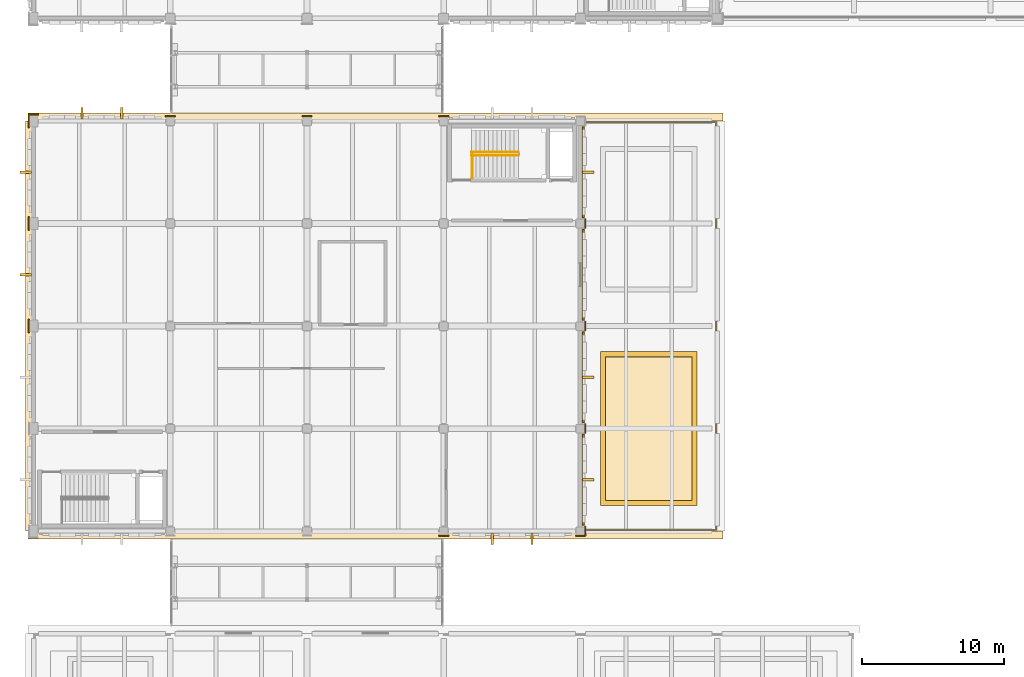
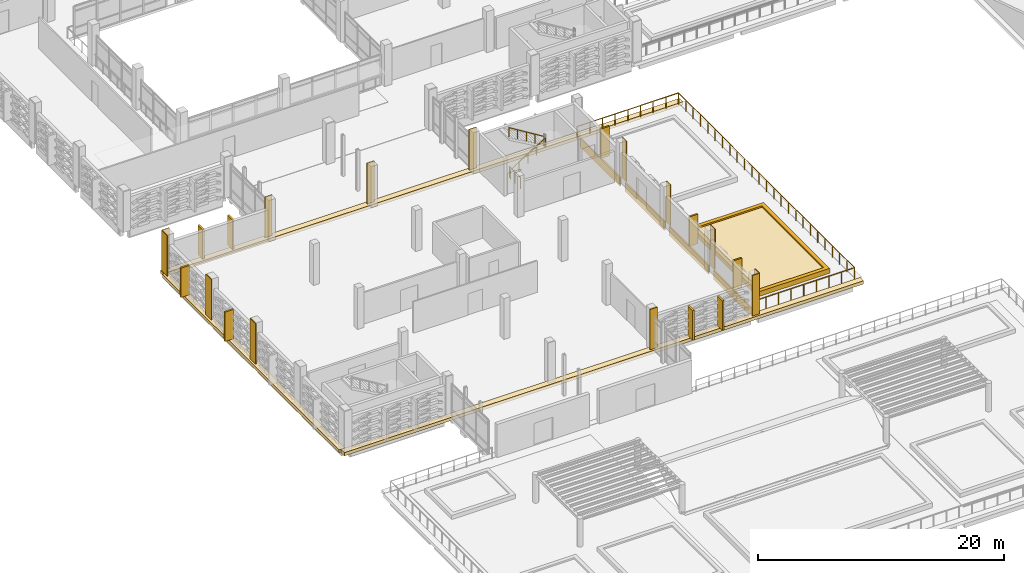
# One storey, part 120 of 134: 31 coverings, 4 railings.
"""IFC4 building model written with IfcOpenShell, lengths in metres."""

from ifc_helpers import new_model, si_unit, direction, frame, origin, origin_2d, place, context, subcontext, project, spatial, polyline, rectangle, circle, outline, extrude, material, layer, layer_set, type_object, element, save


model = new_model("IFC4")

# Units and contexts
model_context = context("Model", 3, precision=1e-05, world=origin(), true_north=direction((0.0, 1.0)))
body_context = subcontext(model_context, "Body", "Model", "MODEL_VIEW")
ifc_project = project(units=[si_unit("LENGTHUNIT", "METRE"), si_unit("AREAUNIT", "SQUARE_METRE"), si_unit("VOLUMEUNIT", "CUBIC_METRE"), si_unit("PLANEANGLEUNIT", "RADIAN"), si_unit("MASSUNIT", "GRAM", prefix="KILO")], contexts=[model_context])

# Site, building, storey
site_placement = place(None, origin())
site = spatial("IfcSite", under=ifc_project, at=site_placement, CompositionType="ELEMENT")
building_placement = place(site_placement, origin())
building = spatial("IfcBuilding", under=site, at=building_placement, Name="Asteropetra Specialist Clinic", CompositionType="ELEMENT")
storey_placement = place(building_placement, frame((0.0, 0.0, 8.5)))
storey = spatial("IfcBuildingStorey", under=building, at=storey_placement, Name="L02", CompositionType="ELEMENT", Elevation=8.5)

# Railing
ifc_material_1 = material(Name="Pentelic marble and bronze balustrade", Category="masonry")
railing_type_1 = type_object("IfcRailingType", Name="BAL-STONE-1150", PredefinedType="BALUSTRADE", material=ifc_material_1)
railing_1_placement = place(storey_placement, frame((38.39990234375, 33.679931640625, 0.0)))
element("IfcRailing", 1, at=railing_1_placement, inside=storey, type_object=railing_type_1, Name="Perimeter Guard BAL-V5-L02E", PredefinedType="BALUSTRADE", context=body_context, shape_type="SweptSolid", body=[
    extrude(circle(Radius=0.02392578125, at=origin_2d()), frame((0.0, 0.0, 1.1259765625), z_axis=(1.0, 0.0, 0.0), x_axis=(0.0, 1.0, 0.0)), (0.0, 0.0, 1.0), 9.52001953125),
    extrude(circle(Radius=0.02392578125, at=origin_2d()), frame((9.52001953125, 0.0, 1.1259765625), z_axis=(0.0, 1.0, 0.0), x_axis=(-1.0, 0.0, 0.0)), (0.0, 0.0, 1.0), 28.64013671875),
    extrude(circle(Radius=0.02392578125, at=origin_2d()), frame((9.52001953125, 28.64013671875, 1.1259765625), z_axis=(-1.0, 0.0, 0.0), x_axis=(0.0, -1.0, 0.0)), (0.0, 0.0, 1.0), 9.52001953125),
    extrude(circle(Radius=0.02099609375, at=origin_2d()), origin(), (0.0, 0.0, 1.0), 1.101806640625),
    extrude(circle(Radius=0.02099609375, at=origin_2d()), frame((1.18994140625, 0.0, 0.0)), (0.0, 0.0, 1.0), 1.101806640625),
    extrude(circle(Radius=0.02099609375, at=origin_2d()), frame((2.3798828125, 0.0, 0.0)), (0.0, 0.0, 1.0), 1.101806640625),
    extrude(circle(Radius=0.02099609375, at=origin_2d()), frame((3.570068359375, 0.0, 0.0)), (0.0, 0.0, 1.0), 1.101806640625),
    extrude(circle(Radius=0.02099609375, at=origin_2d()), frame((4.760009765625, 0.0, 0.0)), (0.0, 0.0, 1.0), 1.101806640625),
    extrude(circle(Radius=0.02099609375, at=origin_2d()), frame((5.949951171875, 0.0, 0.0)), (0.0, 0.0, 1.0), 1.101806640625),
    extrude(circle(Radius=0.02099609375, at=origin_2d()), frame((7.14013671875, 0.0, 0.0)), (0.0, 0.0, 1.0), 1.101806640625),
    extrude(circle(Radius=0.02099609375, at=origin_2d()), frame((8.330078125, 0.0, 0.0)), (0.0, 0.0, 1.0), 1.101806640625),
    extrude(circle(Radius=0.02099609375, at=origin_2d()), frame((9.52001953125, 0.0, 0.0)), (0.0, 0.0, 1.0), 1.101806640625),
    extrude(circle(Radius=0.02099609375, at=origin_2d()), frame((9.52001953125, 1.193359375, 0.0)), (0.0, 0.0, 1.0), 1.101806640625),
    extrude(circle(Radius=0.02099609375, at=origin_2d()), frame((9.52001953125, 2.38671875, 0.0)), (0.0, 0.0, 1.0), 1.101806640625),
    extrude(circle(Radius=0.02099609375, at=origin_2d()), frame((9.52001953125, 3.580078125, 0.0)), (0.0, 0.0, 1.0), 1.101806640625),
    extrude(circle(Radius=0.02099609375, at=origin_2d()), frame((9.52001953125, 4.7734375, 0.0)), (0.0, 0.0, 1.0), 1.101806640625),
    extrude(circle(Radius=0.02099609375, at=origin_2d()), frame((9.52001953125, 5.966796875, 0.0)), (0.0, 0.0, 1.0), 1.101806640625),
    extrude(circle(Radius=0.02099609375, at=origin_2d()), frame((9.52001953125, 7.16015625, 0.0)), (0.0, 0.0, 1.0), 1.101806640625),
    extrude(circle(Radius=0.02099609375, at=origin_2d()), frame((9.52001953125, 8.353271484375, 0.0)), (0.0, 0.0, 1.0), 1.101806640625),
    extrude(circle(Radius=0.02099609375, at=origin_2d()), frame((9.52001953125, 9.546630859375, 0.0)), (0.0, 0.0, 1.0), 1.101806640625),
    extrude(circle(Radius=0.02099609375, at=origin_2d()), frame((9.52001953125, 10.739990234375, 0.0)), (0.0, 0.0, 1.0), 1.101806640625),
    extrude(circle(Radius=0.02099609375, at=origin_2d()), frame((9.52001953125, 11.933349609375, 0.0)), (0.0, 0.0, 1.0), 1.101806640625),
    extrude(circle(Radius=0.02099609375, at=origin_2d()), frame((9.52001953125, 13.126708984375, 0.0)), (0.0, 0.0, 1.0), 1.101806640625),
    extrude(circle(Radius=0.02099609375, at=origin_2d()), frame((9.52001953125, 14.320068359375, 0.0)), (0.0, 0.0, 1.0), 1.101806640625),
    extrude(circle(Radius=0.02099609375, at=origin_2d()), frame((9.52001953125, 15.513427734375, 0.0)), (0.0, 0.0, 1.0), 1.101806640625),
    extrude(circle(Radius=0.02099609375, at=origin_2d()), frame((9.52001953125, 16.706787109375, 0.0)), (0.0, 0.0, 1.0), 1.101806640625),
    extrude(circle(Radius=0.02099609375, at=origin_2d()), frame((9.52001953125, 17.900146484375, 0.0)), (0.0, 0.0, 1.0), 1.101806640625),
    extrude(circle(Radius=0.02099609375, at=origin_2d()), frame((9.52001953125, 19.093505859375, 0.0)), (0.0, 0.0, 1.0), 1.101806640625),
    extrude(circle(Radius=0.02099609375, at=origin_2d()), frame((9.52001953125, 20.286865234375, 0.0)), (0.0, 0.0, 1.0), 1.101806640625),
    extrude(circle(Radius=0.02099609375, at=origin_2d()), frame((9.52001953125, 21.47998046875, 0.0)), (0.0, 0.0, 1.0), 1.101806640625),
    extrude(circle(Radius=0.02099609375, at=origin_2d()), frame((9.52001953125, 22.67333984375, 0.0)), (0.0, 0.0, 1.0), 1.101806640625),
    extrude(circle(Radius=0.02099609375, at=origin_2d()), frame((9.52001953125, 23.86669921875, 0.0)), (0.0, 0.0, 1.0), 1.101806640625),
    extrude(circle(Radius=0.02099609375, at=origin_2d()), frame((9.52001953125, 25.06005859375, 0.0)), (0.0, 0.0, 1.0), 1.101806640625),
    extrude(circle(Radius=0.02099609375, at=origin_2d()), frame((9.52001953125, 26.25341796875, 0.0)), (0.0, 0.0, 1.0), 1.101806640625),
    extrude(circle(Radius=0.02099609375, at=origin_2d()), frame((9.52001953125, 27.44677734375, 0.0)), (0.0, 0.0, 1.0), 1.101806640625),
    extrude(circle(Radius=0.02099609375, at=origin_2d()), frame((9.52001953125, 28.64013671875, 0.0)), (0.0, 0.0, 1.0), 1.101806640625),
    extrude(circle(Radius=0.02099609375, at=origin_2d()), frame((8.330078125, 28.64013671875, 0.0)), (0.0, 0.0, 1.0), 1.101806640625),
    extrude(circle(Radius=0.02099609375, at=origin_2d()), frame((7.14013671875, 28.64013671875, 0.0)), (0.0, 0.0, 1.0), 1.101806640625),
    extrude(circle(Radius=0.02099609375, at=origin_2d()), frame((5.949951171875, 28.64013671875, 0.0)), (0.0, 0.0, 1.0), 1.101806640625),
    extrude(circle(Radius=0.02099609375, at=origin_2d()), frame((4.760009765625, 28.64013671875, 0.0)), (0.0, 0.0, 1.0), 1.101806640625),
    extrude(circle(Radius=0.02099609375, at=origin_2d()), frame((3.570068359375, 28.64013671875, 0.0)), (0.0, 0.0, 1.0), 1.101806640625),
    extrude(circle(Radius=0.02099609375, at=origin_2d()), frame((2.3798828125, 28.64013671875, 0.0)), (0.0, 0.0, 1.0), 1.101806640625),
    extrude(circle(Radius=0.02099609375, at=origin_2d()), frame((1.18994140625, 28.64013671875, 0.0)), (0.0, 0.0, 1.0), 1.101806640625),
    extrude(circle(Radius=0.02099609375, at=origin_2d()), frame((0.0, 28.64013671875, 0.0)), (0.0, 0.0, 1.0), 1.101806640625),
])

# Coverings
ifc_material_2 = material(Name="Chevron ochre deep")
ifc_layer_1 = layer(ifc_material_2, 0.1201171875)
ifc_layer_set_1 = layer_set([ifc_layer_1], Name="Chevron ochre deep")
covering_type_1 = type_object("IfcCoveringType", Name="CLD-OCH-DEEP", PredefinedType="CLADDING", material=ifc_layer_set_1)
for number, where, z_axis, x_axis, name in (
    (2, (38.594970703125, 37.199951171875, -0.800048828125), (0.0, 0.0, 1.0), (1.0, 0.0, 0.0), "Chevron Spandrel Band CV-1852"),
    (3, (38.594970703125, 44.39990234375, -0.800048828125), (0.0, 0.0, 1.0), (1.0, 0.0, 0.0), "Chevron Spandrel Band CV-1853"),
    (4, (38.594970703125, 51.60009765625, -0.800048828125), (0.0, 0.0, 1.0), (1.0, 0.0, 0.0), "Chevron Spandrel Band CV-1854"),
    (5, (38.594970703125, 58.800048828125, -0.800048828125), (0.0, 0.0, 1.0), (1.0, 0.0, 0.0), "Chevron Spandrel Band CV-1855"),
):
    element("IfcCovering", number, at=place(storey_placement, frame(where, z_axis=z_axis, x_axis=x_axis)), inside=storey, type_object=covering_type_1, Name=name, PredefinedType="CLADDING", context=body_context, shape_type="SweptSolid", body=[
        extrude(rectangle(XDim=0.1201171875, YDim=6.39990234375, at=origin_2d()), origin(), (0.0, 0.0, 1.0), 0.8798828125),
    ])
ifc_material_3 = material(Name="Pentelic marble ashlar", Category="masonry")
ifc_layer_2 = layer(ifc_material_3, 0.159912109375)
ifc_layer_set_2 = layer_set([ifc_layer_2], Name="Pentelic marble ashlar")
covering_type_2 = type_object("IfcCoveringType", Name="CRN-ENTAB-600", PredefinedType="MOLDING", material=ifc_layer_set_2)
for number, where, z_axis, x_axis, name in (
    (6, (-0.33203125, 48.0, 0.02001953125), (0.0, 0.0, 1.0), (1.0, 0.0, 0.0), "Neoclassical Pilaster Facing CM-0880"),
    (7, (-0.33203125, 55.199951171875, 0.02001953125), (0.0, 0.0, 1.0), (1.0, 0.0, 0.0), "Neoclassical Pilaster Facing CM-0881"),
):
    element("IfcCovering", number, at=place(storey_placement, frame(where, z_axis=z_axis, x_axis=x_axis)), inside=storey, type_object=covering_type_2, Name=name, PredefinedType="MOLDING", context=body_context, shape_type="SweptSolid", body=[
        extrude(rectangle(XDim=0.080078125, YDim=0.929931640625, at=origin_2d()), origin(), (0.0, 0.0, 1.0), 4.0400390625),
    ])
covering_1_placement = place(storey_placement, frame((0.0, 62.85693359375, 0.02001953125), z_axis=(0.0, 0.0, 1.0), x_axis=(1.0, 0.0, 0.0)))
element("IfcCovering", 8, at=covering_1_placement, inside=storey, type_object=covering_type_2, Name="Neoclassical Pilaster Facing CM-0882", PredefinedType="MOLDING", context=body_context, shape_type="SweptSolid", body=[
    extrude(rectangle(XDim=0.679931640625, YDim=0.080078125, at=origin_2d()), origin(), (0.0, 0.0, 1.0), 4.0400390625),
])
covering_2_placement = place(storey_placement, frame((-0.33203125, 62.39990234375, 0.02001953125), z_axis=(0.0, 0.0, 1.0), x_axis=(1.0, 0.0, 0.0)))
element("IfcCovering", 9, at=covering_2_placement, inside=storey, type_object=covering_type_2, Name="Neoclassical Pilaster Facing CM-0883", PredefinedType="MOLDING", context=body_context, shape_type="SweptSolid", body=[
    extrude(rectangle(XDim=0.080078125, YDim=0.929931640625, at=origin_2d()), origin(), (0.0, 0.0, 1.0), 4.0400390625),
])
for number, where, z_axis, x_axis, name in (
    (10, (9.60009765625, 62.73193359375, 0.02001953125), (0.0, 0.0, 1.0), (1.0, 0.0, 0.0), "Neoclassical Pilaster Facing CM-0885"),
    (11, (19.199951171875, 62.73193359375, 0.02001953125), (0.0, 0.0, 1.0), (1.0, 0.0, 0.0), "Neoclassical Pilaster Facing CM-0887"),
    (12, (28.800048828125, 33.26806640625, 0.02001953125), (0.0, 0.0, 1.0), (1.0, 0.0, 0.0), "Neoclassical Pilaster Facing CM-0888"),
    (13, (28.800048828125, 62.73193359375, 0.02001953125), (0.0, 0.0, 1.0), (1.0, 0.0, 0.0), "Neoclassical Pilaster Facing CM-0889"),
    (14, (38.39990234375, 33.26806640625, 0.02001953125), (0.0, 0.0, 1.0), (1.0, 0.0, 0.0), "Neoclassical Pilaster Facing CM-0890"),
):
    element("IfcCovering", number, at=place(storey_placement, frame(where, z_axis=z_axis, x_axis=x_axis)), inside=storey, type_object=covering_type_2, Name=name, PredefinedType="MOLDING", context=body_context, shape_type="SweptSolid", body=[
        extrude(rectangle(XDim=0.679931640625, YDim=0.080078125, at=origin_2d()), origin(), (0.0, 0.0, 1.0), 4.0400390625),
    ])
for number, where, z_axis, x_axis, name in (
    (15, (38.73193359375, 33.60009765625, 0.02001953125), (0.0, 0.0, 1.0), (1.0, 0.0, 0.0), "Neoclassical Pilaster Facing CM-0891"),
    (16, (38.73193359375, 40.800048828125, 0.02001953125), (0.0, 0.0, 1.0), (1.0, 0.0, 0.0), "Neoclassical Pilaster Facing CM-0892"),
    (17, (38.73193359375, 48.0, 0.02001953125), (0.0, 0.0, 1.0), (1.0, 0.0, 0.0), "Neoclassical Pilaster Facing CM-0893"),
    (18, (38.73193359375, 55.199951171875, 0.02001953125), (0.0, 0.0, 1.0), (1.0, 0.0, 0.0), "Neoclassical Pilaster Facing CM-0894"),
):
    element("IfcCovering", number, at=place(storey_placement, frame(where, z_axis=z_axis, x_axis=x_axis)), inside=storey, type_object=covering_type_2, Name=name, PredefinedType="MOLDING", context=body_context, shape_type="SweptSolid", body=[
        extrude(rectangle(XDim=0.080078125, YDim=0.679931640625, at=origin_2d()), origin(), (0.0, 0.0, 1.0), 4.0400390625),
    ])
for number, where, z_axis, x_axis, name in (
    (19, (24.0, 33.320068359375, -0.2802734375), (0.0, 0.0, 1.0), (1.0, 0.0, 0.0), "Classical Entablature Cornice EC-005"),
    (20, (24.0, 62.679931640625, -0.2802734375), (0.0, 0.0, 1.0), (1.0, 0.0, 0.0), "Classical Entablature Cornice EC-006"),
):
    element("IfcCovering", number, at=place(storey_placement, frame(where, z_axis=z_axis, x_axis=x_axis)), inside=storey, type_object=covering_type_2, Name=name, PredefinedType="MOLDING", context=body_context, shape_type="SweptSolid", body=[
        extrude(rectangle(XDim=48.800048828125, YDim=0.56005859375, at=origin_2d()), origin(), (0.0, 0.0, 1.0), 0.320068359375),
    ])
covering_3_placement = place(storey_placement, frame((-0.280029296875, 48.0, -0.2802734375), z_axis=(0.0, 0.0, 1.0), x_axis=(1.0, 0.0, 0.0)))
element("IfcCovering", 21, at=covering_3_placement, inside=storey, type_object=covering_type_2, Name="Classical Entablature Cornice EC-007", PredefinedType="MOLDING", context=body_context, shape_type="SweptSolid", body=[
    extrude(rectangle(XDim=0.56005859375, YDim=28.800048828125, at=origin_2d()), origin(), (0.0, 0.0, 1.0), 0.320068359375),
])
covering_4_placement = place(storey_placement, origin())
element("IfcCovering", 22, at=covering_4_placement, inside=storey, type_object=covering_type_2, Name="Planted Terrace Planter Curb PTB-V5-01C", PredefinedType="MOLDING", context=body_context, shape_type="SweptSolid", body=[
    extrude(outline(polyline([(39.800048828125, 35.39990234375), (46.60009765625, 35.39990234375), (46.60009765625, 46.199951171875), (39.800048828125, 46.199951171875), (39.800048828125, 35.39990234375)]), holes=[polyline([(40.14990234375, 35.75), (46.25, 35.75), (46.25, 45.85009765625), (40.14990234375, 45.85009765625), (40.14990234375, 35.75)])]), origin(), (0.0, 0.0, 1.0), 0.47998046875),
])
ifc_material_4 = material(Name="Pentelic marble solar fin", Category="masonry")
ifc_layer_3 = layer(ifc_material_4, 0.080078125)
ifc_layer_set_3 = layer_set([ifc_layer_3], Name="Pentelic marble solar fin")
covering_type_3 = type_object("IfcCoveringType", Name="FIN-SOLAR-800", PredefinedType="MOLDING", material=ifc_layer_set_3)
for number, where, z_axis, x_axis, name in (
    (23, (6.193359375, 62.949951171875, 0.070068359375), (0.0, 0.0, 1.0), (1.0, 0.0, 0.0), "Solar Shading Fin FN-0126"),
    (24, (3.40673828125, 62.949951171875, 0.070068359375), (0.0, 0.0, 1.0), (1.0, 0.0, 0.0), "Solar Shading Fin FN-0127"),
    (25, (32.206787109375, 33.050048828125, 0.070068359375), (0.0, 0.0, 1.0), (1.0, 0.0, 0.0), "Solar Shading Fin FN-0128"),
    (26, (34.993408203125, 33.050048828125, 0.070068359375), (0.0, 0.0, 1.0), (1.0, 0.0, 0.0), "Solar Shading Fin FN-0129"),
):
    element("IfcCovering", number, at=place(storey_placement, frame(where, z_axis=z_axis, x_axis=x_axis)), inside=storey, type_object=covering_type_3, Name=name, PredefinedType="MOLDING", context=body_context, shape_type="SweptSolid", body=[
        extrude(rectangle(XDim=0.159912109375, YDim=0.800048828125, at=origin_2d()), origin(), (0.0, 0.0, 1.0), 2.919921875),
    ])
for number, where, z_axis, x_axis, name in (
    (27, (38.949951171875, 37.199951171875, 0.070068359375), (0.0, 0.0, 1.0), (1.0, 0.0, 0.0), "Solar Shading Fin FN-0133"),
    (28, (38.949951171875, 44.39990234375, 0.070068359375), (0.0, 0.0, 1.0), (1.0, 0.0, 0.0), "Solar Shading Fin FN-0135"),
    (29, (-0.550048828125, 51.60009765625, 0.070068359375), (0.0, 0.0, 1.0), (1.0, 0.0, 0.0), "Solar Shading Fin FN-0136"),
    (30, (-0.550048828125, 58.800048828125, 0.070068359375), (0.0, 0.0, 1.0), (1.0, 0.0, 0.0), "Solar Shading Fin FN-0137"),
    (31, (38.949951171875, 58.800048828125, 0.070068359375), (0.0, 0.0, 1.0), (1.0, 0.0, 0.0), "Solar Shading Fin FN-0138"),
):
    element("IfcCovering", number, at=place(storey_placement, frame(where, z_axis=z_axis, x_axis=x_axis)), inside=storey, type_object=covering_type_3, Name=name, PredefinedType="MOLDING", context=body_context, shape_type="SweptSolid", body=[
        extrude(rectangle(XDim=0.800048828125, YDim=0.159912109375, at=origin_2d()), origin(), (0.0, 0.0, 1.0), 2.919921875),
    ])

# Railings
ifc_material_5 = material(Name="Steel S355 and laminated glass guard", Category="steel")
railing_type_2 = type_object("IfcRailingType", Name="GRD-INT-1120", PredefinedType="GUARDRAIL", material=ifc_material_5)
railing_2_placement = place(storey_placement, frame((30.800048828125, 58.3798828125, 0.0)))
element("IfcRailing", 32, at=railing_2_placement, inside=storey, type_object=railing_type_2, Name="Stair Well Guard ST05-L01", PredefinedType="GUARDRAIL", context=body_context, shape_type="SweptSolid", body=[
    extrude(circle(Radius=0.02392578125, at=origin_2d()), frame((0.0, 0.0, 1.09619140625), z_axis=(0.0, 1.0, 0.0), x_axis=(-1.0, 0.0, 0.0)), (0.0, 0.0, 1.0), 1.780029296875),
    extrude(circle(Radius=0.02099609375, at=origin_2d()), origin(), (0.0, 0.0, 1.0), 1.072021484375),
    extrude(circle(Radius=0.02099609375, at=origin_2d()), frame((0.0, 0.89013671875, 0.0)), (0.0, 0.0, 1.0), 1.072021484375),
    extrude(circle(Radius=0.02099609375, at=origin_2d()), frame((0.0, 1.780029296875, 0.0)), (0.0, 0.0, 1.0), 1.072021484375),
])
ifc_material_6 = material(Name="Brushed stainless steel handrail", Category="steel")
railing_type_3 = type_object("IfcRailingType", Name="HRL-STAIR-920", PredefinedType="HANDRAIL", material=ifc_material_6)
railing_3_placement = place(storey_placement, frame((30.75, 59.969970703125, 0.0)))
element("IfcRailing", 33, at=railing_3_placement, inside=storey, type_object=railing_type_3, Name="Stair Handrail ST05-L02 F1", PredefinedType="HANDRAIL", context=body_context, shape_type="SweptSolid", body=[
    extrude(circle(Radius=0.02392578125, at=origin_2d()), frame((0.0, 0.0, 0.89599609375), z_axis=(0.850593546085, 0.0, 0.525823753132), x_axis=(0.0, 1.0, 0.0)), (0.0, 0.0, 1.0), 3.879638671875),
    extrude(circle(Radius=0.02099609375, at=origin_2d()), origin(), (0.0, 0.0, 1.0), 0.871826171875),
    extrude(circle(Radius=0.02099609375, at=origin_2d()), frame((0.824951171875, 0.0, 0.510009765625)), (0.0, 0.0, 1.0), 0.871826171875),
    extrude(circle(Radius=0.02099609375, at=origin_2d()), frame((1.64990234375, 0.0, 1.02001953125)), (0.0, 0.0, 1.0), 0.871826171875),
    extrude(circle(Radius=0.02099609375, at=origin_2d()), frame((2.47509765625, 0.0, 1.530029296875)), (0.0, 0.0, 1.0), 0.871826171875),
    extrude(circle(Radius=0.02099609375, at=origin_2d()), frame((3.300048828125, 0.0, 2.0400390625)), (0.0, 0.0, 1.0), 0.871826171875),
])
railing_4_placement = place(storey_placement, frame((34.050048828125, 60.2099609375, 2.0400390625)))
element("IfcRailing", 34, at=railing_4_placement, inside=storey, type_object=railing_type_3, Name="Stair Handrail ST05-L02 F2", PredefinedType="HANDRAIL", context=body_context, shape_type="SweptSolid", body=[
    extrude(circle(Radius=0.02392578125, at=origin_2d()), frame((0.0, 0.0, 0.89599609375), z_axis=(-0.850593546085, 0.0, 0.525823753132), x_axis=(0.0, -1.0, 0.0)), (0.0, 0.0, 1.0), 3.879638671875),
    extrude(circle(Radius=0.02099609375, at=origin_2d()), origin(), (0.0, 0.0, 1.0), 0.871826171875),
    extrude(circle(Radius=0.02099609375, at=origin_2d()), frame((-0.824951171875, 0.0, 0.510009765625)), (0.0, 0.0, 1.0), 0.871826171875),
    extrude(circle(Radius=0.02099609375, at=origin_2d()), frame((-1.64990234375, 0.0, 1.02001953125)), (0.0, 0.0, 1.0), 0.871826171875),
    extrude(circle(Radius=0.02099609375, at=origin_2d()), frame((-2.47509765625, 0.0, 1.530029296875)), (0.0, 0.0, 1.0), 0.871826171875),
    extrude(circle(Radius=0.02099609375, at=origin_2d()), frame((-3.300048828125, 0.0, 2.0400390625)), (0.0, 0.0, 1.0), 0.871826171875),
])

# Covering
ifc_material_7 = material(Name="Planted roof growing medium")
ifc_layer_4 = layer(ifc_material_7, 0.080078125)
ifc_layer_set_4 = layer_set([ifc_layer_4], Name="Planted roof growing medium")
covering_type_4 = type_object("IfcCoveringType", Name="RFG-GREEN-V2", PredefinedType="ROOFING", material=ifc_layer_set_4)
covering_5_placement = place(storey_placement, origin())
element("IfcCovering", 35, at=covering_5_placement, inside=storey, type_object=covering_type_4, Name="Planted Terrace Greenery Bed PTB-V5-01G", PredefinedType="ROOFING", context=body_context, shape_type="SweptSolid", body=[
    extrude(outline(polyline([(40.159912109375, 35.760009765625), (46.239990234375, 35.760009765625), (46.239990234375, 45.840087890625), (40.159912109375, 45.840087890625), (40.159912109375, 35.760009765625)])), origin(), (0.0, 0.0, 1.0), 0.340087890625),
])

save(model, "model.ifc")
